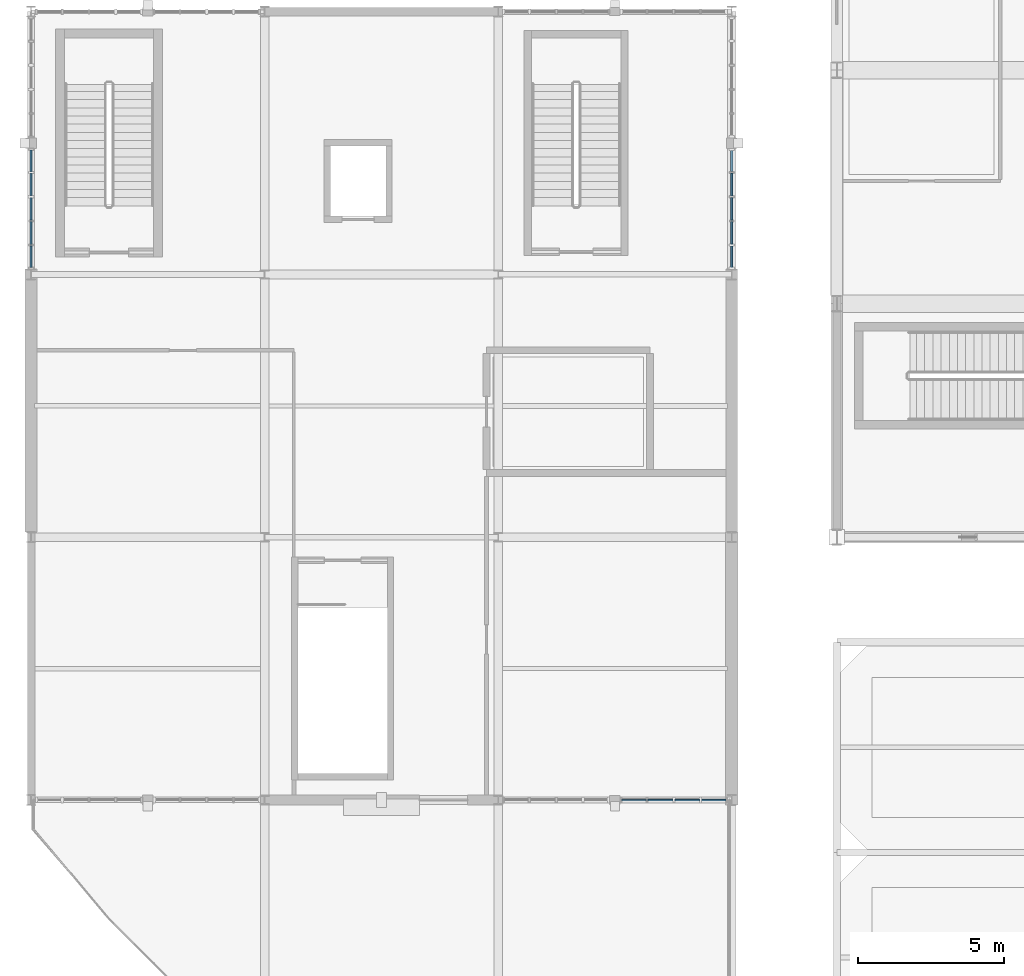
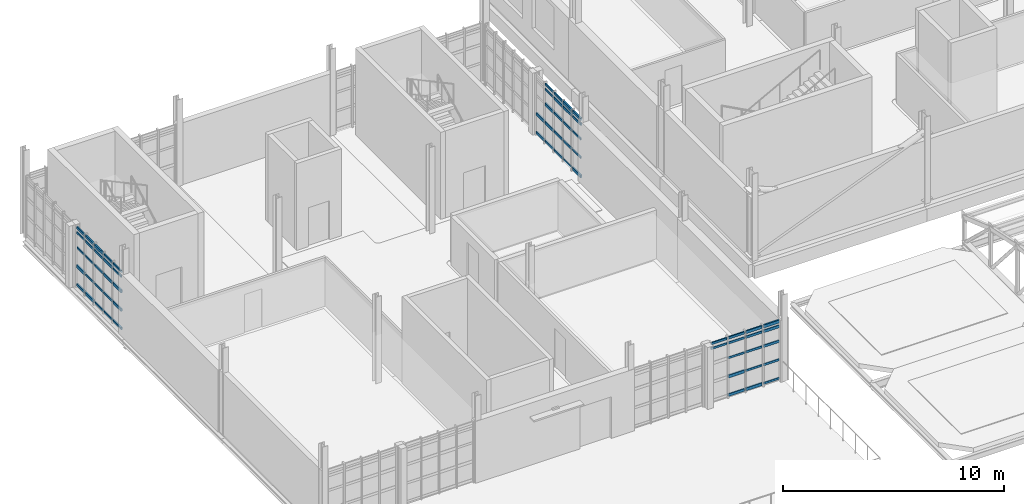
# One storey, part 60 of 128: 64 members, 3 elements without a shape of their own.
"""IFC4 building model written with IfcOpenShell, lengths in metres."""

import ifcopenshell
import ifcopenshell.guid

model = None  # the IFC model being written
_history = None  # IfcOwnerHistory: only IFC2X3 demands one
_inside = {}  # id of a spatial element -> (the spatial element, [elements in it])
_under = {}  # id of a project, library or spatial element -> (it, [spatial elements below it])
_declared = {}  # id of a project -> (the project, [libraries it declares])
_typed = {}  # id of a type object -> (the type object, [elements of that type])
_made_of = {}  # id of a material, layer set ... -> (it, [elements and type objects made of it])


def new_model(schema):
    """Start an empty IFC model of exactly this schema.

    Asked for "IFC4X3", IfcOpenShell would pick the latest addendum, in which some entities
    have other attributes; the version numbers below select the first issue.
    IFC2X3 requires an IfcOwnerHistory on every rooted entity: one is made here for all.
    """
    global model, _history
    if schema == "IFC4X3":
        model = ifcopenshell.file(schema_version=(4, 3, 0, 0))
    else:
        model = ifcopenshell.file(schema=schema)
    _inside.clear()
    _under.clear()
    _declared.clear()
    _typed.clear()
    _made_of.clear()
    _history = None
    if model.schema == "IFC2X3":
        org = make("IfcOrganization", Name="unknown")
        user = make(
            "IfcPersonAndOrganization",
            ThePerson=make("IfcPerson", FamilyName="unknown"),
            TheOrganization=org,
        )
        app = make(
            "IfcApplication",
            ApplicationDeveloper=org,
            Version="unknown",
            ApplicationFullName="unknown",
            ApplicationIdentifier="unknown",
        )
        _history = make(
            "IfcOwnerHistory",
            OwningUser=user,
            OwningApplication=app,
            ChangeAction="ADDED",
            CreationDate=0,
        )
    return model


def make(cls, **values):
    """One entity of the class cls with the attributes given. An attribute that is None is left unset."""
    return model.create_entity(
        cls, **{name: value for name, value in values.items() if value is not None}
    )


def rooted(cls, **values):
    """An entity with a GlobalId (a new one), such as an element, a storey or a relation."""
    return make(cls, GlobalId=ifcopenshell.guid.new(), OwnerHistory=_history, **values)


def si_unit(unit_type, name, prefix=None):
    """IfcSIUnit, for example si_unit("LENGTHUNIT", "METRE", prefix="MILLI")."""
    return make("IfcSIUnit", UnitType=unit_type, Prefix=prefix, Name=name)


def assignment(units):
    """IfcUnitAssignment: the units of a project."""
    return None if units is None else make("IfcUnitAssignment", Units=units)


def point(xyz):
    """IfcCartesianPoint."""
    return None if xyz is None else make("IfcCartesianPoint", Coordinates=xyz)


def direction(xyz):
    """IfcDirection."""
    return None if xyz is None else make("IfcDirection", DirectionRatios=xyz)


def frame(location, z_axis=None, x_axis=None):
    """IfcAxis2Placement3D, a coordinate frame: its origin and axes. An axis left out is left unset."""
    return make(
        "IfcAxis2Placement3D",
        Location=point(location),
        Axis=direction(z_axis),
        RefDirection=direction(x_axis),
    )


def frame_2d(location, x_axis=None):
    """IfcAxis2Placement2D, a coordinate frame in the plane: its origin and x axis."""
    return make(
        "IfcAxis2Placement2D", Location=point(location), RefDirection=direction(x_axis)
    )


def origin():
    """The frame at (0, 0, 0) with its axes left unset."""
    return frame((0.0, 0.0, 0.0))


def origin_2d():
    """The frame at (0, 0) in the plane with its x axis left unset."""
    return frame_2d((0.0, 0.0))


def place(relative_to, where):
    """IfcLocalPlacement: puts the frame where relative to a parent placement (None: the world)."""
    return make(
        "IfcLocalPlacement", PlacementRelTo=relative_to, RelativePlacement=where
    )


def context(
    kind, dimensions, precision=None, world=None, true_north=None, identifier=None
):
    """IfcGeometricRepresentationContext, for example the 3D "Model" context."""
    return make(
        "IfcGeometricRepresentationContext",
        ContextIdentifier=identifier,
        ContextType=kind,
        CoordinateSpaceDimension=dimensions,
        Precision=precision,
        WorldCoordinateSystem=world,
        TrueNorth=true_north,
    )


def subcontext(parent, identifier, kind, view, scale=None):
    """IfcGeometricRepresentationSubContext, for example "Body" below "Model"."""
    return make(
        "IfcGeometricRepresentationSubContext",
        ContextIdentifier=identifier,
        ContextType=kind,
        ParentContext=parent,
        TargetScale=scale,
        TargetView=view,
    )


def project(units=None, contexts=None):
    """IfcProject with its units and contexts."""
    return rooted(
        "IfcProject",
        Name="project",
        RepresentationContexts=contexts,
        UnitsInContext=assignment(units),
    )


def spatial(cls, under=None, at=None, **own):
    """A site, building, storey or space (cls), placed at a placement, below another one or the project."""
    s = rooted(cls, ObjectPlacement=at, **own)
    if under is not None:
        _under.setdefault(under.id(), (under, []))[1].append(s)
    return s


def profile(cls, at=None, kind="AREA", **sizes):
    """A parametric profile (cls). Its sizes go by their IFC names, for example OverallWidth=200.0."""
    return make(cls, ProfileType=kind, Position=at, **sizes)


def rectangle(**sizes):
    """IfcRectangleProfileDef."""
    return profile("IfcRectangleProfileDef", **sizes)


def extrude(swept, where, along, depth):
    """IfcExtrudedAreaSolid: the profile swept, set in the frame where, extruded along a direction by depth."""
    return make(
        "IfcExtrudedAreaSolid",
        SweptArea=swept,
        Position=where,
        ExtrudedDirection=direction(along),
        Depth=depth,
    )


def shape(context_of_items, identifier, shape_type, items):
    """IfcShapeRepresentation: the items that make up one representation, for example the "Body"."""
    return make(
        "IfcShapeRepresentation",
        ContextOfItems=context_of_items,
        RepresentationIdentifier=identifier,
        RepresentationType=shape_type,
        Items=items,
    )


def material(Name=None, Category=None):
    """IfcMaterial."""
    return make("IfcMaterial", Name=Name, Category=Category)


def material_profile(
    of_material, cross_section, Name=None, Category=None, Priority=None
):
    """IfcMaterialProfile: a cross section and its material."""
    return make(
        "IfcMaterialProfile",
        Name=Name,
        Material=of_material,
        Profile=cross_section,
        Priority=Priority,
        Category=Category,
    )


def profile_set(profiles, Name=None, composite=None):
    """IfcMaterialProfileSet."""
    return make(
        "IfcMaterialProfileSet",
        Name=Name,
        MaterialProfiles=profiles,
        CompositeProfile=composite,
    )


def made_of(thing, what):
    """Note that an element or type object is made of a material, layer set ...; save() writes the relation."""
    if what is not None:
        _made_of.setdefault(what.id(), (what, []))[1].append(thing)
    return thing


def type_object(cls, material=None, **own):
    """A type object (cls), such as IfcWallType, which elements share."""
    return made_of(rooted(cls, **own), material)


def element(
    cls,
    number,
    at=None,
    inside=None,
    cuts=None,
    type_object=None,
    material=None,
    context=None,
    identifier="Body",
    shape_type=None,
    held_by="IfcProductDefinitionShape",
    body=None,
    shapes=None,
    **own,
):
    """One element of the class cls, such as IfcWall. Its Tag is "e" and its number.

    at: its placement. inside: the storey or other place that contains it. cuts: it is an
    opening in that element (IfcRelVoidsElement). A single representation is given by context,
    identifier, shape_type and body (its items); several are given by shapes. held_by: the class
    of the entity that holds the representations. save() writes the other relations.
    """
    e = rooted(cls, Tag="e%d" % number, ObjectPlacement=at, **own)
    if body is not None:
        shapes = [shape(context, identifier, shape_type, body)]
    if shapes is not None:
        e.Representation = make(held_by, Representations=shapes)
    if inside is not None:
        _inside.setdefault(inside.id(), (inside, []))[1].append(e)
    if cuts is not None:
        rooted(
            "IfcRelVoidsElement", RelatingBuildingElement=cuts, RelatedOpeningElement=e
        )
    if type_object is not None:
        _typed.setdefault(type_object.id(), (type_object, []))[1].append(e)
    return made_of(e, material)


def aggregate(whole, parts):
    """IfcRelAggregates: a whole, such as a stair, and the parts it consists of."""
    return rooted("IfcRelAggregates", RelatingObject=whole, RelatedObjects=parts)


def save(model, path):
    """Write the relations noted so far, then the file.

    IfcRelAggregates (storeys below a building ...), IfcRelContainedInSpatialStructure (elements
    in a storey), IfcRelDefinesByType, IfcRelAssociatesMaterial and IfcRelDeclares: one each for
    every whole, place, type object, material and project.
    """
    for whole, parts in _under.values():
        aggregate(whole, parts)
    for where, things in _inside.values():
        rooted(
            "IfcRelContainedInSpatialStructure",
            RelatedElements=things,
            RelatingStructure=where,
        )
    for kind, things in _typed.values():
        rooted("IfcRelDefinesByType", RelatedObjects=things, RelatingType=kind)
    for what, things in _made_of.values():
        rooted("IfcRelAssociatesMaterial", RelatedObjects=things, RelatingMaterial=what)
    for by, libraries in _declared.values():
        rooted("IfcRelDeclares", RelatingContext=by, RelatedDefinitions=libraries)
    model.write(path)


model = new_model("IFC4")

# Units and contexts
model_context = context("Model", 3, precision=1e-05, world=origin(), true_north=direction((0.0, 1.0)))
body_context = subcontext(model_context, "Body", "Model", "MODEL_VIEW")
ifc_project = project(units=[si_unit("LENGTHUNIT", "METRE"), si_unit("AREAUNIT", "SQUARE_METRE"), si_unit("VOLUMEUNIT", "CUBIC_METRE"), si_unit("PLANEANGLEUNIT", "RADIAN"), si_unit("MASSUNIT", "GRAM", prefix="KILO")], contexts=[model_context])

# Site, building, storey
site_placement = place(None, origin())
site = spatial("IfcSite", under=ifc_project, at=site_placement, CompositionType="ELEMENT")
building_placement = place(site_placement, origin())
building = spatial("IfcBuilding", under=site, at=building_placement, Name="Serraforn Aerial Cableway Station", CompositionType="ELEMENT")
storey_placement = place(building_placement, frame((0.0, 0.0, 9.0)))
storey = spatial("IfcBuildingStorey", under=building, at=storey_placement, Name="L02", CompositionType="ELEMENT", Elevation=9.0)

# Curtain wall, members
ifc_material_1 = material(Name="Anodised bronze unitised curtain wall")
curtain_wall_type_1 = type_object("IfcCurtainWallType", Name="CW-SYS-26", PredefinedType="USERDEFINED", material=ifc_material_1)
curtain_wall_1_placement = place(storey_placement, origin())
curtain_wall_1 = element("IfcCurtainWall", 1, at=curtain_wall_1_placement, inside=storey, type_object=curtain_wall_type_1, Name="Unitised Curtain Wall CW-W-L02-S3B", ObjectType="UNITISED CURTAIN WALL", PredefinedType="USERDEFINED")
ifc_material_2 = material(Name="Anodised bronze extruded aluminium", Category="aluminium")
ifc_material_profile_1 = material_profile(ifc_material_2, rectangle(XDim=0.054931640625, YDim=0.110107421875, at=origin_2d()), Name="CW TRANSOM 55x110")
ifc_profile_set_1 = profile_set([ifc_material_profile_1], Name="Anodised bronze extruded aluminium")
member_type_1 = type_object("IfcMemberType", Name="CW-TRN-1", PredefinedType="USERDEFINED", material=ifc_profile_set_1)
member_1_placement = place(storey_placement, frame((20.238037109375, 9.0, 3.009521484375), z_axis=(1.0, 0.0, 0.0), x_axis=(0.0, 1.0, 0.0)))
member_1 = element("IfcMember", 2, at=member_1_placement, type_object=member_type_1, Name="Curtain Wall Transom CW-W-L02-S3B-T1-4", ObjectType="TRANSOM", PredefinedType="USERDEFINED", context=body_context, shape_type="SweptSolid", body=[
    extrude(rectangle(XDim=0.054931640625, YDim=0.110107421875, at=origin_2d()), origin(), (0.0, 0.0, 1.0), 0.829345703125),
])
member_2_placement = place(storey_placement, frame((21.12841796875, 9.0, 2.188720703125), z_axis=(1.0, 0.0, 0.0), x_axis=(0.0, 1.0, 0.0)))
member_2 = element("IfcMember", 3, at=member_2_placement, type_object=member_type_1, Name="Curtain Wall Transom CW-W-L02-S3B-T2-3", ObjectType="TRANSOM", PredefinedType="USERDEFINED", context=body_context, shape_type="SweptSolid", body=[
    extrude(rectangle(XDim=0.054931640625, YDim=0.110107421875, at=origin_2d()), origin(), (0.0, 0.0, 1.0), 0.8544921875),
])
member_3_placement = place(storey_placement, frame((22.049072265625, 9.0, 1.162841796875), z_axis=(1.0, 0.0, 0.0), x_axis=(0.0, 1.0, 0.0)))
member_3 = element("IfcMember", 4, at=member_3_placement, type_object=member_type_1, Name="Curtain Wall Transom CW-W-L02-S3B-T3-2", ObjectType="TRANSOM", PredefinedType="USERDEFINED", context=body_context, shape_type="SweptSolid", body=[
    extrude(rectangle(XDim=0.054931640625, YDim=0.110107421875, at=origin_2d()), origin(), (0.0, 0.0, 1.0), 0.849365234375),
])
member_4_placement = place(storey_placement, frame((22.969482421875, 9.0, 0.13671875), z_axis=(1.0, 0.0, 0.0), x_axis=(0.0, 1.0, 0.0)))
member_4 = element("IfcMember", 5, at=member_4_placement, type_object=member_type_1, Name="Curtain Wall Transom CW-W-L02-S3B-T4-1", ObjectType="TRANSOM", PredefinedType="USERDEFINED", context=body_context, shape_type="SweptSolid", body=[
    extrude(rectangle(XDim=0.054931640625, YDim=0.110107421875, at=origin_2d()), origin(), (0.0, 0.0, 1.0), 0.82958984375),
])

curtain_wall_type_2 = type_object("IfcCurtainWallType", Name="CW-SYS-4", PredefinedType="USERDEFINED", material=ifc_material_1)
curtain_wall_2_placement = place(storey_placement, origin())
curtain_wall_2 = element("IfcCurtainWall", 6, at=curtain_wall_2_placement, inside=storey, type_object=curtain_wall_type_2, Name="Unitised Curtain Wall CW-W-L02-W3B", ObjectType="UNITISED CURTAIN WALL", PredefinedType="USERDEFINED")
member_5_placement = place(storey_placement, frame((0.0, 31.257080078125, 2.188720703125), z_axis=(0.0, -1.0, 0.0), x_axis=(1.0, 0.0, 0.0)))
member_5 = element("IfcMember", 7, at=member_5_placement, type_object=member_type_1, Name="Curtain Wall Transom CW-W-L02-W3B-T1-3", ObjectType="TRANSOM", PredefinedType="USERDEFINED", context=body_context, shape_type="SweptSolid", body=[
    extrude(rectangle(XDim=0.054931640625, YDim=0.110107421875, at=origin_2d()), origin(), (0.0, 0.0, 1.0), 0.732421875),
])
member_6_placement = place(storey_placement, frame((0.0, 30.45849609375, 1.162841796875), z_axis=(0.0, -1.0, 0.0), x_axis=(1.0, 0.0, 0.0)))
member_6 = element("IfcMember", 8, at=member_6_placement, type_object=member_type_1, Name="Curtain Wall Transom CW-W-L02-W3B-T2-2", ObjectType="TRANSOM", PredefinedType="USERDEFINED", context=body_context, shape_type="SweptSolid", body=[
    extrude(rectangle(XDim=0.054931640625, YDim=0.110107421875, at=origin_2d()), origin(), (0.0, 0.0, 1.0), 0.759765625),
])
member_7_placement = place(storey_placement, frame((0.0, 29.627685546875, 0.13671875), z_axis=(0.0, -1.0, 0.0), x_axis=(1.0, 0.0, 0.0)))
member_7 = element("IfcMember", 9, at=member_7_placement, type_object=member_type_1, Name="Curtain Wall Transom CW-W-L02-W3B-T3-1", ObjectType="TRANSOM", PredefinedType="USERDEFINED", context=body_context, shape_type="SweptSolid", body=[
    extrude(rectangle(XDim=0.054931640625, YDim=0.110107421875, at=origin_2d()), origin(), (0.0, 0.0, 1.0), 0.767333984375),
])
member_8_placement = place(storey_placement, frame((0.0, 28.809326171875, 3.283203125), z_axis=(0.0, -1.0, 0.0), x_axis=(1.0, 0.0, 0.0)))
member_8 = element("IfcMember", 10, at=member_8_placement, type_object=member_type_1, Name="Curtain Wall Transom CW-W-L02-W3B-T4-5", ObjectType="TRANSOM", PredefinedType="USERDEFINED", context=body_context, shape_type="SweptSolid", body=[
    extrude(rectangle(XDim=0.054931640625, YDim=0.110107421875, at=origin_2d()), origin(), (0.0, 0.0, 1.0), 0.77490234375),
])
member_9_placement = place(storey_placement, frame((0.0, 27.978515625, 3.009521484375), z_axis=(0.0, -1.0, 0.0), x_axis=(1.0, 0.0, 0.0)))
member_9 = element("IfcMember", 11, at=member_9_placement, type_object=member_type_1, Name="Curtain Wall Transom CW-W-L02-W3B-T5-4", ObjectType="TRANSOM", PredefinedType="USERDEFINED", context=body_context, shape_type="SweptSolid", body=[
    extrude(rectangle(XDim=0.054931640625, YDim=0.110107421875, at=origin_2d()), origin(), (0.0, 0.0, 1.0), 0.737548828125),
])

curtain_wall_type_3 = type_object("IfcCurtainWallType", Name="CW-SYS-5", PredefinedType="USERDEFINED", material=ifc_material_1)
curtain_wall_3_placement = place(storey_placement, origin())
curtain_wall_3 = element("IfcCurtainWall", 12, at=curtain_wall_3_placement, inside=storey, type_object=curtain_wall_type_3, Name="Unitised Curtain Wall CW-W-L02-E3A", ObjectType="UNITISED CURTAIN WALL", PredefinedType="USERDEFINED")
member_10_placement = place(storey_placement, frame((24.0, 27.24609375, 1.162841796875), z_axis=(0.0, 1.0, 0.0), x_axis=(-1.0, 0.0, 0.0)))
member_10 = element("IfcMember", 13, at=member_10_placement, type_object=member_type_1, Name="Curtain Wall Transom CW-W-L02-E3A-T1-2", ObjectType="TRANSOM", PredefinedType="USERDEFINED", context=body_context, shape_type="SweptSolid", body=[
    extrude(rectangle(XDim=0.054931640625, YDim=0.110107421875, at=origin_2d()), origin(), (0.0, 0.0, 1.0), 0.724853515625),
])
member_11_placement = place(storey_placement, frame((24.0, 28.0419921875, 0.13671875), z_axis=(0.0, 1.0, 0.0), x_axis=(-1.0, 0.0, 0.0)))
member_11 = element("IfcMember", 14, at=member_11_placement, type_object=member_type_1, Name="Curtain Wall Transom CW-W-L02-E3A-T2-1", ObjectType="TRANSOM", PredefinedType="USERDEFINED", context=body_context, shape_type="SweptSolid", body=[
    extrude(rectangle(XDim=0.054931640625, YDim=0.110107421875, at=origin_2d()), origin(), (0.0, 0.0, 1.0), 0.767333984375),
])
member_12_placement = place(storey_placement, frame((24.0, 28.8603515625, 3.283203125), z_axis=(0.0, 1.0, 0.0), x_axis=(-1.0, 0.0, 0.0)))
member_12 = element("IfcMember", 15, at=member_12_placement, type_object=member_type_1, Name="Curtain Wall Transom CW-W-L02-E3A-T3-5", ObjectType="TRANSOM", PredefinedType="USERDEFINED", context=body_context, shape_type="SweptSolid", body=[
    extrude(rectangle(XDim=0.054931640625, YDim=0.110107421875, at=origin_2d()), origin(), (0.0, 0.0, 1.0), 0.77490234375),
])
member_13_placement = place(storey_placement, frame((24.0, 29.691162109375, 3.009521484375), z_axis=(0.0, 1.0, 0.0), x_axis=(-1.0, 0.0, 0.0)))
member_13 = element("IfcMember", 16, at=member_13_placement, type_object=member_type_1, Name="Curtain Wall Transom CW-W-L02-E3A-T4-4", ObjectType="TRANSOM", PredefinedType="USERDEFINED", context=body_context, shape_type="SweptSolid", body=[
    extrude(rectangle(XDim=0.054931640625, YDim=0.110107421875, at=origin_2d()), origin(), (0.0, 0.0, 1.0), 0.77001953125),
])

# Member
ifc_material_profile_2 = material_profile(ifc_material_2, rectangle(XDim=0.06005859375, YDim=0.1201171875, at=origin_2d()), Name="CW TRANSOM 60x120")
ifc_profile_set_2 = profile_set([ifc_material_profile_2], Name="Anodised bronze extruded aluminium")
member_type_2 = type_object("IfcMemberType", Name="CW-TRN-2", PredefinedType="USERDEFINED", material=ifc_profile_set_2)
member_14_placement = place(storey_placement, frame((20.238037109375, 9.0, 3.283203125), z_axis=(1.0, 0.0, 0.0), x_axis=(0.0, 1.0, 0.0)))
member_14 = element("IfcMember", 17, at=member_14_placement, type_object=member_type_2, Name="Curtain Wall Transom CW-W-L02-S3B-T1-5", ObjectType="TRANSOM", PredefinedType="USERDEFINED", context=body_context, shape_type="SweptSolid", body=[
    extrude(rectangle(XDim=0.06005859375, YDim=0.1201171875, at=origin_2d()), origin(), (0.0, 0.0, 1.0), 0.829345703125),
])

member_15_placement = place(storey_placement, frame((21.12841796875, 9.0, 3.009521484375), z_axis=(1.0, 0.0, 0.0), x_axis=(0.0, 1.0, 0.0)))
member_15 = element("IfcMember", 18, at=member_15_placement, type_object=member_type_2, Name="Curtain Wall Transom CW-W-L02-S3B-T2-4", ObjectType="TRANSOM", PredefinedType="USERDEFINED", context=body_context, shape_type="SweptSolid", body=[
    extrude(rectangle(XDim=0.06005859375, YDim=0.1201171875, at=origin_2d()), origin(), (0.0, 0.0, 1.0), 0.8544921875),
])

member_16_placement = place(storey_placement, frame((22.049072265625, 9.0, 2.188720703125), z_axis=(1.0, 0.0, 0.0), x_axis=(0.0, 1.0, 0.0)))
member_16 = element("IfcMember", 19, at=member_16_placement, type_object=member_type_2, Name="Curtain Wall Transom CW-W-L02-S3B-T3-3", ObjectType="TRANSOM", PredefinedType="USERDEFINED", context=body_context, shape_type="SweptSolid", body=[
    extrude(rectangle(XDim=0.06005859375, YDim=0.1201171875, at=origin_2d()), origin(), (0.0, 0.0, 1.0), 0.849365234375),
])

member_17_placement = place(storey_placement, frame((22.969482421875, 9.0, 1.162841796875), z_axis=(1.0, 0.0, 0.0), x_axis=(0.0, 1.0, 0.0)))
member_17 = element("IfcMember", 20, at=member_17_placement, type_object=member_type_2, Name="Curtain Wall Transom CW-W-L02-S3B-T4-2", ObjectType="TRANSOM", PredefinedType="USERDEFINED", context=body_context, shape_type="SweptSolid", body=[
    extrude(rectangle(XDim=0.06005859375, YDim=0.1201171875, at=origin_2d()), origin(), (0.0, 0.0, 1.0), 0.82958984375),
])

member_18_placement = place(storey_placement, frame((0.0, 31.257080078125, 3.009521484375), z_axis=(0.0, -1.0, 0.0), x_axis=(1.0, 0.0, 0.0)))
member_18 = element("IfcMember", 21, at=member_18_placement, type_object=member_type_2, Name="Curtain Wall Transom CW-W-L02-W3B-T1-4", ObjectType="TRANSOM", PredefinedType="USERDEFINED", context=body_context, shape_type="SweptSolid", body=[
    extrude(rectangle(XDim=0.06005859375, YDim=0.1201171875, at=origin_2d()), origin(), (0.0, 0.0, 1.0), 0.732421875),
])

member_19_placement = place(storey_placement, frame((0.0, 30.45849609375, 2.188720703125), z_axis=(0.0, -1.0, 0.0), x_axis=(1.0, 0.0, 0.0)))
member_19 = element("IfcMember", 22, at=member_19_placement, type_object=member_type_2, Name="Curtain Wall Transom CW-W-L02-W3B-T2-3", ObjectType="TRANSOM", PredefinedType="USERDEFINED", context=body_context, shape_type="SweptSolid", body=[
    extrude(rectangle(XDim=0.06005859375, YDim=0.1201171875, at=origin_2d()), origin(), (0.0, 0.0, 1.0), 0.759765625),
])

member_20_placement = place(storey_placement, frame((0.0, 29.627685546875, 1.162841796875), z_axis=(0.0, -1.0, 0.0), x_axis=(1.0, 0.0, 0.0)))
member_20 = element("IfcMember", 23, at=member_20_placement, type_object=member_type_2, Name="Curtain Wall Transom CW-W-L02-W3B-T3-2", ObjectType="TRANSOM", PredefinedType="USERDEFINED", context=body_context, shape_type="SweptSolid", body=[
    extrude(rectangle(XDim=0.06005859375, YDim=0.1201171875, at=origin_2d()), origin(), (0.0, 0.0, 1.0), 0.767333984375),
])

member_21_placement = place(storey_placement, frame((0.0, 28.809326171875, 0.13671875), z_axis=(0.0, -1.0, 0.0), x_axis=(1.0, 0.0, 0.0)))
member_21 = element("IfcMember", 24, at=member_21_placement, type_object=member_type_2, Name="Curtain Wall Transom CW-W-L02-W3B-T4-1", ObjectType="TRANSOM", PredefinedType="USERDEFINED", context=body_context, shape_type="SweptSolid", body=[
    extrude(rectangle(XDim=0.06005859375, YDim=0.1201171875, at=origin_2d()), origin(), (0.0, 0.0, 1.0), 0.77490234375),
])

member_22_placement = place(storey_placement, frame((0.0, 27.978515625, 3.283203125), z_axis=(0.0, -1.0, 0.0), x_axis=(1.0, 0.0, 0.0)))
member_22 = element("IfcMember", 25, at=member_22_placement, type_object=member_type_2, Name="Curtain Wall Transom CW-W-L02-W3B-T5-5", ObjectType="TRANSOM", PredefinedType="USERDEFINED", context=body_context, shape_type="SweptSolid", body=[
    extrude(rectangle(XDim=0.06005859375, YDim=0.1201171875, at=origin_2d()), origin(), (0.0, 0.0, 1.0), 0.737548828125),
])

member_23_placement = place(storey_placement, frame((24.0, 27.24609375, 2.188720703125), z_axis=(0.0, 1.0, 0.0), x_axis=(-1.0, 0.0, 0.0)))
member_23 = element("IfcMember", 26, at=member_23_placement, type_object=member_type_2, Name="Curtain Wall Transom CW-W-L02-E3A-T1-3", ObjectType="TRANSOM", PredefinedType="USERDEFINED", context=body_context, shape_type="SweptSolid", body=[
    extrude(rectangle(XDim=0.06005859375, YDim=0.1201171875, at=origin_2d()), origin(), (0.0, 0.0, 1.0), 0.724853515625),
])

member_24_placement = place(storey_placement, frame((24.0, 28.0419921875, 1.162841796875), z_axis=(0.0, 1.0, 0.0), x_axis=(-1.0, 0.0, 0.0)))
member_24 = element("IfcMember", 27, at=member_24_placement, type_object=member_type_2, Name="Curtain Wall Transom CW-W-L02-E3A-T2-2", ObjectType="TRANSOM", PredefinedType="USERDEFINED", context=body_context, shape_type="SweptSolid", body=[
    extrude(rectangle(XDim=0.06005859375, YDim=0.1201171875, at=origin_2d()), origin(), (0.0, 0.0, 1.0), 0.767333984375),
])

member_25_placement = place(storey_placement, frame((24.0, 28.8603515625, 0.13671875), z_axis=(0.0, 1.0, 0.0), x_axis=(-1.0, 0.0, 0.0)))
member_25 = element("IfcMember", 28, at=member_25_placement, type_object=member_type_2, Name="Curtain Wall Transom CW-W-L02-E3A-T3-1", ObjectType="TRANSOM", PredefinedType="USERDEFINED", context=body_context, shape_type="SweptSolid", body=[
    extrude(rectangle(XDim=0.06005859375, YDim=0.1201171875, at=origin_2d()), origin(), (0.0, 0.0, 1.0), 0.77490234375),
])

member_26_placement = place(storey_placement, frame((24.0, 29.691162109375, 3.283203125), z_axis=(0.0, 1.0, 0.0), x_axis=(-1.0, 0.0, 0.0)))
member_26 = element("IfcMember", 29, at=member_26_placement, type_object=member_type_2, Name="Curtain Wall Transom CW-W-L02-E3A-T4-5", ObjectType="TRANSOM", PredefinedType="USERDEFINED", context=body_context, shape_type="SweptSolid", body=[
    extrude(rectangle(XDim=0.06005859375, YDim=0.1201171875, at=origin_2d()), origin(), (0.0, 0.0, 1.0), 0.77001953125),
])

ifc_material_profile_3 = material_profile(ifc_material_2, rectangle(XDim=0.06494140625, YDim=0.135009765625, at=origin_2d()), Name="CW TRANSOM 65x135")
ifc_profile_set_3 = profile_set([ifc_material_profile_3], Name="Anodised bronze extruded aluminium")
member_type_3 = type_object("IfcMemberType", Name="CW-TRN-3", PredefinedType="USERDEFINED", material=ifc_profile_set_3)
member_27_placement = place(storey_placement, frame((21.12841796875, 9.0, 3.283203125), z_axis=(1.0, 0.0, 0.0), x_axis=(0.0, 1.0, 0.0)))
member_27 = element("IfcMember", 30, at=member_27_placement, type_object=member_type_3, Name="Curtain Wall Transom CW-W-L02-S3B-T2-5", ObjectType="TRANSOM", PredefinedType="USERDEFINED", context=body_context, shape_type="SweptSolid", body=[
    extrude(rectangle(XDim=0.06494140625, YDim=0.135009765625, at=origin_2d()), origin(), (0.0, 0.0, 1.0), 0.8544921875),
])

member_28_placement = place(storey_placement, frame((22.049072265625, 9.0, 3.009521484375), z_axis=(1.0, 0.0, 0.0), x_axis=(0.0, 1.0, 0.0)))
member_28 = element("IfcMember", 31, at=member_28_placement, type_object=member_type_3, Name="Curtain Wall Transom CW-W-L02-S3B-T3-4", ObjectType="TRANSOM", PredefinedType="USERDEFINED", context=body_context, shape_type="SweptSolid", body=[
    extrude(rectangle(XDim=0.06494140625, YDim=0.135009765625, at=origin_2d()), origin(), (0.0, 0.0, 1.0), 0.849365234375),
])

member_29_placement = place(storey_placement, frame((22.969482421875, 9.0, 2.188720703125), z_axis=(1.0, 0.0, 0.0), x_axis=(0.0, 1.0, 0.0)))
member_29 = element("IfcMember", 32, at=member_29_placement, type_object=member_type_3, Name="Curtain Wall Transom CW-W-L02-S3B-T4-3", ObjectType="TRANSOM", PredefinedType="USERDEFINED", context=body_context, shape_type="SweptSolid", body=[
    extrude(rectangle(XDim=0.06494140625, YDim=0.135009765625, at=origin_2d()), origin(), (0.0, 0.0, 1.0), 0.82958984375),
])

member_30_placement = place(storey_placement, frame((0.0, 31.257080078125, 3.283203125), z_axis=(0.0, -1.0, 0.0), x_axis=(1.0, 0.0, 0.0)))
member_30 = element("IfcMember", 33, at=member_30_placement, type_object=member_type_3, Name="Curtain Wall Transom CW-W-L02-W3B-T1-5", ObjectType="TRANSOM", PredefinedType="USERDEFINED", context=body_context, shape_type="SweptSolid", body=[
    extrude(rectangle(XDim=0.06494140625, YDim=0.135009765625, at=origin_2d()), origin(), (0.0, 0.0, 1.0), 0.732421875),
])

member_31_placement = place(storey_placement, frame((0.0, 30.45849609375, 3.009521484375), z_axis=(0.0, -1.0, 0.0), x_axis=(1.0, 0.0, 0.0)))
member_31 = element("IfcMember", 34, at=member_31_placement, type_object=member_type_3, Name="Curtain Wall Transom CW-W-L02-W3B-T2-4", ObjectType="TRANSOM", PredefinedType="USERDEFINED", context=body_context, shape_type="SweptSolid", body=[
    extrude(rectangle(XDim=0.06494140625, YDim=0.135009765625, at=origin_2d()), origin(), (0.0, 0.0, 1.0), 0.759765625),
])

member_32_placement = place(storey_placement, frame((0.0, 29.627685546875, 2.188720703125), z_axis=(0.0, -1.0, 0.0), x_axis=(1.0, 0.0, 0.0)))
member_32 = element("IfcMember", 35, at=member_32_placement, type_object=member_type_3, Name="Curtain Wall Transom CW-W-L02-W3B-T3-3", ObjectType="TRANSOM", PredefinedType="USERDEFINED", context=body_context, shape_type="SweptSolid", body=[
    extrude(rectangle(XDim=0.06494140625, YDim=0.135009765625, at=origin_2d()), origin(), (0.0, 0.0, 1.0), 0.767333984375),
])

member_33_placement = place(storey_placement, frame((0.0, 28.809326171875, 1.162841796875), z_axis=(0.0, -1.0, 0.0), x_axis=(1.0, 0.0, 0.0)))
member_33 = element("IfcMember", 36, at=member_33_placement, type_object=member_type_3, Name="Curtain Wall Transom CW-W-L02-W3B-T4-2", ObjectType="TRANSOM", PredefinedType="USERDEFINED", context=body_context, shape_type="SweptSolid", body=[
    extrude(rectangle(XDim=0.06494140625, YDim=0.135009765625, at=origin_2d()), origin(), (0.0, 0.0, 1.0), 0.77490234375),
])

member_34_placement = place(storey_placement, frame((0.0, 27.978515625, 0.13671875), z_axis=(0.0, -1.0, 0.0), x_axis=(1.0, 0.0, 0.0)))
member_34 = element("IfcMember", 37, at=member_34_placement, type_object=member_type_3, Name="Curtain Wall Transom CW-W-L02-W3B-T5-1", ObjectType="TRANSOM", PredefinedType="USERDEFINED", context=body_context, shape_type="SweptSolid", body=[
    extrude(rectangle(XDim=0.06494140625, YDim=0.135009765625, at=origin_2d()), origin(), (0.0, 0.0, 1.0), 0.737548828125),
])

member_35_placement = place(storey_placement, frame((24.0, 27.24609375, 3.009521484375), z_axis=(0.0, 1.0, 0.0), x_axis=(-1.0, 0.0, 0.0)))
member_35 = element("IfcMember", 38, at=member_35_placement, type_object=member_type_3, Name="Curtain Wall Transom CW-W-L02-E3A-T1-4", ObjectType="TRANSOM", PredefinedType="USERDEFINED", context=body_context, shape_type="SweptSolid", body=[
    extrude(rectangle(XDim=0.06494140625, YDim=0.135009765625, at=origin_2d()), origin(), (0.0, 0.0, 1.0), 0.724853515625),
])

member_36_placement = place(storey_placement, frame((24.0, 28.0419921875, 2.188720703125), z_axis=(0.0, 1.0, 0.0), x_axis=(-1.0, 0.0, 0.0)))
member_36 = element("IfcMember", 39, at=member_36_placement, type_object=member_type_3, Name="Curtain Wall Transom CW-W-L02-E3A-T2-3", ObjectType="TRANSOM", PredefinedType="USERDEFINED", context=body_context, shape_type="SweptSolid", body=[
    extrude(rectangle(XDim=0.06494140625, YDim=0.135009765625, at=origin_2d()), origin(), (0.0, 0.0, 1.0), 0.767333984375),
])

member_37_placement = place(storey_placement, frame((24.0, 28.8603515625, 1.162841796875), z_axis=(0.0, 1.0, 0.0), x_axis=(-1.0, 0.0, 0.0)))
member_37 = element("IfcMember", 40, at=member_37_placement, type_object=member_type_3, Name="Curtain Wall Transom CW-W-L02-E3A-T3-2", ObjectType="TRANSOM", PredefinedType="USERDEFINED", context=body_context, shape_type="SweptSolid", body=[
    extrude(rectangle(XDim=0.06494140625, YDim=0.135009765625, at=origin_2d()), origin(), (0.0, 0.0, 1.0), 0.77490234375),
])

member_38_placement = place(storey_placement, frame((24.0, 29.691162109375, 0.13671875), z_axis=(0.0, 1.0, 0.0), x_axis=(-1.0, 0.0, 0.0)))
member_38 = element("IfcMember", 41, at=member_38_placement, type_object=member_type_3, Name="Curtain Wall Transom CW-W-L02-E3A-T4-1", ObjectType="TRANSOM", PredefinedType="USERDEFINED", context=body_context, shape_type="SweptSolid", body=[
    extrude(rectangle(XDim=0.06494140625, YDim=0.135009765625, at=origin_2d()), origin(), (0.0, 0.0, 1.0), 0.77001953125),
])

ifc_material_profile_4 = material_profile(ifc_material_2, rectangle(XDim=0.070068359375, YDim=0.14990234375, at=origin_2d()), Name="CW TRANSOM 70x150")
ifc_profile_set_4 = profile_set([ifc_material_profile_4], Name="Anodised bronze extruded aluminium")
member_type_4 = type_object("IfcMemberType", Name="CW-TRN-4", PredefinedType="USERDEFINED", material=ifc_profile_set_4)
member_39_placement = place(storey_placement, frame((21.12841796875, 9.0, 0.13671875), z_axis=(1.0, 0.0, 0.0), x_axis=(0.0, 1.0, 0.0)))
member_39 = element("IfcMember", 42, at=member_39_placement, type_object=member_type_4, Name="Curtain Wall Transom CW-W-L02-S3B-T2-1", ObjectType="TRANSOM", PredefinedType="USERDEFINED", context=body_context, shape_type="SweptSolid", body=[
    extrude(rectangle(XDim=0.070068359375, YDim=0.14990234375, at=origin_2d()), origin(), (0.0, 0.0, 1.0), 0.8544921875),
])

member_40_placement = place(storey_placement, frame((22.049072265625, 9.0, 3.283203125), z_axis=(1.0, 0.0, 0.0), x_axis=(0.0, 1.0, 0.0)))
member_40 = element("IfcMember", 43, at=member_40_placement, type_object=member_type_4, Name="Curtain Wall Transom CW-W-L02-S3B-T3-5", ObjectType="TRANSOM", PredefinedType="USERDEFINED", context=body_context, shape_type="SweptSolid", body=[
    extrude(rectangle(XDim=0.070068359375, YDim=0.14990234375, at=origin_2d()), origin(), (0.0, 0.0, 1.0), 0.849365234375),
])

member_41_placement = place(storey_placement, frame((22.969482421875, 9.0, 3.009521484375), z_axis=(1.0, 0.0, 0.0), x_axis=(0.0, 1.0, 0.0)))
member_41 = element("IfcMember", 44, at=member_41_placement, type_object=member_type_4, Name="Curtain Wall Transom CW-W-L02-S3B-T4-4", ObjectType="TRANSOM", PredefinedType="USERDEFINED", context=body_context, shape_type="SweptSolid", body=[
    extrude(rectangle(XDim=0.070068359375, YDim=0.14990234375, at=origin_2d()), origin(), (0.0, 0.0, 1.0), 0.82958984375),
])

member_42_placement = place(storey_placement, frame((0.0, 31.257080078125, 0.13671875), z_axis=(0.0, -1.0, 0.0), x_axis=(1.0, 0.0, 0.0)))
member_42 = element("IfcMember", 45, at=member_42_placement, type_object=member_type_4, Name="Curtain Wall Transom CW-W-L02-W3B-T1-1", ObjectType="TRANSOM", PredefinedType="USERDEFINED", context=body_context, shape_type="SweptSolid", body=[
    extrude(rectangle(XDim=0.070068359375, YDim=0.14990234375, at=origin_2d()), origin(), (0.0, 0.0, 1.0), 0.732421875),
])

member_43_placement = place(storey_placement, frame((0.0, 30.45849609375, 3.283203125), z_axis=(0.0, -1.0, 0.0), x_axis=(1.0, 0.0, 0.0)))
member_43 = element("IfcMember", 46, at=member_43_placement, type_object=member_type_4, Name="Curtain Wall Transom CW-W-L02-W3B-T2-5", ObjectType="TRANSOM", PredefinedType="USERDEFINED", context=body_context, shape_type="SweptSolid", body=[
    extrude(rectangle(XDim=0.070068359375, YDim=0.14990234375, at=origin_2d()), origin(), (0.0, 0.0, 1.0), 0.759765625),
])

member_44_placement = place(storey_placement, frame((0.0, 29.627685546875, 3.009521484375), z_axis=(0.0, -1.0, 0.0), x_axis=(1.0, 0.0, 0.0)))
member_44 = element("IfcMember", 47, at=member_44_placement, type_object=member_type_4, Name="Curtain Wall Transom CW-W-L02-W3B-T3-4", ObjectType="TRANSOM", PredefinedType="USERDEFINED", context=body_context, shape_type="SweptSolid", body=[
    extrude(rectangle(XDim=0.070068359375, YDim=0.14990234375, at=origin_2d()), origin(), (0.0, 0.0, 1.0), 0.767333984375),
])

member_45_placement = place(storey_placement, frame((0.0, 28.809326171875, 2.188720703125), z_axis=(0.0, -1.0, 0.0), x_axis=(1.0, 0.0, 0.0)))
member_45 = element("IfcMember", 48, at=member_45_placement, type_object=member_type_4, Name="Curtain Wall Transom CW-W-L02-W3B-T4-3", ObjectType="TRANSOM", PredefinedType="USERDEFINED", context=body_context, shape_type="SweptSolid", body=[
    extrude(rectangle(XDim=0.070068359375, YDim=0.14990234375, at=origin_2d()), origin(), (0.0, 0.0, 1.0), 0.77490234375),
])

member_46_placement = place(storey_placement, frame((0.0, 27.978515625, 1.162841796875), z_axis=(0.0, -1.0, 0.0), x_axis=(1.0, 0.0, 0.0)))
member_46 = element("IfcMember", 49, at=member_46_placement, type_object=member_type_4, Name="Curtain Wall Transom CW-W-L02-W3B-T5-2", ObjectType="TRANSOM", PredefinedType="USERDEFINED", context=body_context, shape_type="SweptSolid", body=[
    extrude(rectangle(XDim=0.070068359375, YDim=0.14990234375, at=origin_2d()), origin(), (0.0, 0.0, 1.0), 0.737548828125),
])

member_47_placement = place(storey_placement, frame((24.0, 27.24609375, 3.283203125), z_axis=(0.0, 1.0, 0.0), x_axis=(-1.0, 0.0, 0.0)))
member_47 = element("IfcMember", 50, at=member_47_placement, type_object=member_type_4, Name="Curtain Wall Transom CW-W-L02-E3A-T1-5", ObjectType="TRANSOM", PredefinedType="USERDEFINED", context=body_context, shape_type="SweptSolid", body=[
    extrude(rectangle(XDim=0.070068359375, YDim=0.14990234375, at=origin_2d()), origin(), (0.0, 0.0, 1.0), 0.724853515625),
])

member_48_placement = place(storey_placement, frame((24.0, 28.0419921875, 3.009521484375), z_axis=(0.0, 1.0, 0.0), x_axis=(-1.0, 0.0, 0.0)))
member_48 = element("IfcMember", 51, at=member_48_placement, type_object=member_type_4, Name="Curtain Wall Transom CW-W-L02-E3A-T2-4", ObjectType="TRANSOM", PredefinedType="USERDEFINED", context=body_context, shape_type="SweptSolid", body=[
    extrude(rectangle(XDim=0.070068359375, YDim=0.14990234375, at=origin_2d()), origin(), (0.0, 0.0, 1.0), 0.767333984375),
])

member_49_placement = place(storey_placement, frame((24.0, 28.8603515625, 2.188720703125), z_axis=(0.0, 1.0, 0.0), x_axis=(-1.0, 0.0, 0.0)))
member_49 = element("IfcMember", 52, at=member_49_placement, type_object=member_type_4, Name="Curtain Wall Transom CW-W-L02-E3A-T3-3", ObjectType="TRANSOM", PredefinedType="USERDEFINED", context=body_context, shape_type="SweptSolid", body=[
    extrude(rectangle(XDim=0.070068359375, YDim=0.14990234375, at=origin_2d()), origin(), (0.0, 0.0, 1.0), 0.77490234375),
])

member_50_placement = place(storey_placement, frame((24.0, 29.691162109375, 1.162841796875), z_axis=(0.0, 1.0, 0.0), x_axis=(-1.0, 0.0, 0.0)))
member_50 = element("IfcMember", 53, at=member_50_placement, type_object=member_type_4, Name="Curtain Wall Transom CW-W-L02-E3A-T4-2", ObjectType="TRANSOM", PredefinedType="USERDEFINED", context=body_context, shape_type="SweptSolid", body=[
    extrude(rectangle(XDim=0.070068359375, YDim=0.14990234375, at=origin_2d()), origin(), (0.0, 0.0, 1.0), 0.77001953125),
])

member_51_placement = place(storey_placement, frame((24.0, 30.522216796875, 0.13671875), z_axis=(0.0, 1.0, 0.0), x_axis=(-1.0, 0.0, 0.0)))
member_51 = element("IfcMember", 54, at=member_51_placement, type_object=member_type_4, Name="Curtain Wall Transom CW-W-L02-E3A-T5-1", ObjectType="TRANSOM", PredefinedType="USERDEFINED", context=body_context, shape_type="SweptSolid", body=[
    extrude(rectangle(XDim=0.070068359375, YDim=0.14990234375, at=origin_2d()), origin(), (0.0, 0.0, 1.0), 0.729736328125),
])

ifc_material_profile_5 = material_profile(ifc_material_2, rectangle(XDim=0.074951171875, YDim=0.1650390625, at=origin_2d()), Name="CW TRANSOM 75x165")
ifc_profile_set_5 = profile_set([ifc_material_profile_5], Name="Anodised bronze extruded aluminium")
member_type_5 = type_object("IfcMemberType", Name="CW-TRN-5", PredefinedType="USERDEFINED", material=ifc_profile_set_5)
member_52_placement = place(storey_placement, frame((21.12841796875, 9.0, 1.162841796875), z_axis=(1.0, 0.0, 0.0), x_axis=(0.0, 1.0, 0.0)))
member_52 = element("IfcMember", 55, at=member_52_placement, type_object=member_type_5, Name="Curtain Wall Transom CW-W-L02-S3B-T2-2", ObjectType="TRANSOM", PredefinedType="USERDEFINED", context=body_context, shape_type="SweptSolid", body=[
    extrude(rectangle(XDim=0.074951171875, YDim=0.1650390625, at=origin_2d()), origin(), (0.0, 0.0, 1.0), 0.8544921875),
])

member_53_placement = place(storey_placement, frame((22.049072265625, 9.0, 0.13671875), z_axis=(1.0, 0.0, 0.0), x_axis=(0.0, 1.0, 0.0)))
member_53 = element("IfcMember", 56, at=member_53_placement, type_object=member_type_5, Name="Curtain Wall Transom CW-W-L02-S3B-T3-1", ObjectType="TRANSOM", PredefinedType="USERDEFINED", context=body_context, shape_type="SweptSolid", body=[
    extrude(rectangle(XDim=0.074951171875, YDim=0.1650390625, at=origin_2d()), origin(), (0.0, 0.0, 1.0), 0.849365234375),
])

member_54_placement = place(storey_placement, frame((22.969482421875, 9.0, 3.283203125), z_axis=(1.0, 0.0, 0.0), x_axis=(0.0, 1.0, 0.0)))
member_54 = element("IfcMember", 57, at=member_54_placement, type_object=member_type_5, Name="Curtain Wall Transom CW-W-L02-S3B-T4-5", ObjectType="TRANSOM", PredefinedType="USERDEFINED", context=body_context, shape_type="SweptSolid", body=[
    extrude(rectangle(XDim=0.074951171875, YDim=0.1650390625, at=origin_2d()), origin(), (0.0, 0.0, 1.0), 0.82958984375),
])

aggregate(curtain_wall_1, [member_1, member_14, member_39, member_52, member_2, member_15, member_27, member_53, member_3, member_16, member_28, member_40, member_4, member_17, member_29, member_41, member_54])

member_55_placement = place(storey_placement, frame((0.0, 31.257080078125, 1.162841796875), z_axis=(0.0, -1.0, 0.0), x_axis=(1.0, 0.0, 0.0)))
member_55 = element("IfcMember", 58, at=member_55_placement, type_object=member_type_5, Name="Curtain Wall Transom CW-W-L02-W3B-T1-2", ObjectType="TRANSOM", PredefinedType="USERDEFINED", context=body_context, shape_type="SweptSolid", body=[
    extrude(rectangle(XDim=0.074951171875, YDim=0.1650390625, at=origin_2d()), origin(), (0.0, 0.0, 1.0), 0.732421875),
])

member_56_placement = place(storey_placement, frame((0.0, 30.45849609375, 0.13671875), z_axis=(0.0, -1.0, 0.0), x_axis=(1.0, 0.0, 0.0)))
member_56 = element("IfcMember", 59, at=member_56_placement, type_object=member_type_5, Name="Curtain Wall Transom CW-W-L02-W3B-T2-1", ObjectType="TRANSOM", PredefinedType="USERDEFINED", context=body_context, shape_type="SweptSolid", body=[
    extrude(rectangle(XDim=0.074951171875, YDim=0.1650390625, at=origin_2d()), origin(), (0.0, 0.0, 1.0), 0.759765625),
])

member_57_placement = place(storey_placement, frame((0.0, 29.627685546875, 3.283203125), z_axis=(0.0, -1.0, 0.0), x_axis=(1.0, 0.0, 0.0)))
member_57 = element("IfcMember", 60, at=member_57_placement, type_object=member_type_5, Name="Curtain Wall Transom CW-W-L02-W3B-T3-5", ObjectType="TRANSOM", PredefinedType="USERDEFINED", context=body_context, shape_type="SweptSolid", body=[
    extrude(rectangle(XDim=0.074951171875, YDim=0.1650390625, at=origin_2d()), origin(), (0.0, 0.0, 1.0), 0.767333984375),
])

member_58_placement = place(storey_placement, frame((0.0, 28.809326171875, 3.009521484375), z_axis=(0.0, -1.0, 0.0), x_axis=(1.0, 0.0, 0.0)))
member_58 = element("IfcMember", 61, at=member_58_placement, type_object=member_type_5, Name="Curtain Wall Transom CW-W-L02-W3B-T4-4", ObjectType="TRANSOM", PredefinedType="USERDEFINED", context=body_context, shape_type="SweptSolid", body=[
    extrude(rectangle(XDim=0.074951171875, YDim=0.1650390625, at=origin_2d()), origin(), (0.0, 0.0, 1.0), 0.77490234375),
])

member_59_placement = place(storey_placement, frame((0.0, 27.978515625, 2.188720703125), z_axis=(0.0, -1.0, 0.0), x_axis=(1.0, 0.0, 0.0)))
member_59 = element("IfcMember", 62, at=member_59_placement, type_object=member_type_5, Name="Curtain Wall Transom CW-W-L02-W3B-T5-3", ObjectType="TRANSOM", PredefinedType="USERDEFINED", context=body_context, shape_type="SweptSolid", body=[
    extrude(rectangle(XDim=0.074951171875, YDim=0.1650390625, at=origin_2d()), origin(), (0.0, 0.0, 1.0), 0.737548828125),
])

aggregate(curtain_wall_2, [member_42, member_55, member_5, member_18, member_30, member_56, member_6, member_19, member_31, member_43, member_7, member_20, member_32, member_44, member_57, member_21, member_33, member_45, member_58, member_8, member_34, member_46, member_59, member_9, member_22])

member_60_placement = place(storey_placement, frame((24.0, 27.24609375, 0.13671875), z_axis=(0.0, 1.0, 0.0), x_axis=(-1.0, 0.0, 0.0)))
member_60 = element("IfcMember", 63, at=member_60_placement, type_object=member_type_5, Name="Curtain Wall Transom CW-W-L02-E3A-T1-1", ObjectType="TRANSOM", PredefinedType="USERDEFINED", context=body_context, shape_type="SweptSolid", body=[
    extrude(rectangle(XDim=0.074951171875, YDim=0.1650390625, at=origin_2d()), origin(), (0.0, 0.0, 1.0), 0.724853515625),
])

member_61_placement = place(storey_placement, frame((24.0, 28.0419921875, 3.283203125), z_axis=(0.0, 1.0, 0.0), x_axis=(-1.0, 0.0, 0.0)))
member_61 = element("IfcMember", 64, at=member_61_placement, type_object=member_type_5, Name="Curtain Wall Transom CW-W-L02-E3A-T2-5", ObjectType="TRANSOM", PredefinedType="USERDEFINED", context=body_context, shape_type="SweptSolid", body=[
    extrude(rectangle(XDim=0.074951171875, YDim=0.1650390625, at=origin_2d()), origin(), (0.0, 0.0, 1.0), 0.767333984375),
])

member_62_placement = place(storey_placement, frame((24.0, 28.8603515625, 3.009521484375), z_axis=(0.0, 1.0, 0.0), x_axis=(-1.0, 0.0, 0.0)))
member_62 = element("IfcMember", 65, at=member_62_placement, type_object=member_type_5, Name="Curtain Wall Transom CW-W-L02-E3A-T3-4", ObjectType="TRANSOM", PredefinedType="USERDEFINED", context=body_context, shape_type="SweptSolid", body=[
    extrude(rectangle(XDim=0.074951171875, YDim=0.1650390625, at=origin_2d()), origin(), (0.0, 0.0, 1.0), 0.77490234375),
])

member_63_placement = place(storey_placement, frame((24.0, 29.691162109375, 2.188720703125), z_axis=(0.0, 1.0, 0.0), x_axis=(-1.0, 0.0, 0.0)))
member_63 = element("IfcMember", 66, at=member_63_placement, type_object=member_type_5, Name="Curtain Wall Transom CW-W-L02-E3A-T4-3", ObjectType="TRANSOM", PredefinedType="USERDEFINED", context=body_context, shape_type="SweptSolid", body=[
    extrude(rectangle(XDim=0.074951171875, YDim=0.1650390625, at=origin_2d()), origin(), (0.0, 0.0, 1.0), 0.77001953125),
])

member_64_placement = place(storey_placement, frame((24.0, 30.522216796875, 1.162841796875), z_axis=(0.0, 1.0, 0.0), x_axis=(-1.0, 0.0, 0.0)))
member_64 = element("IfcMember", 67, at=member_64_placement, type_object=member_type_5, Name="Curtain Wall Transom CW-W-L02-E3A-T5-2", ObjectType="TRANSOM", PredefinedType="USERDEFINED", context=body_context, shape_type="SweptSolid", body=[
    extrude(rectangle(XDim=0.074951171875, YDim=0.1650390625, at=origin_2d()), origin(), (0.0, 0.0, 1.0), 0.729736328125),
])

aggregate(curtain_wall_3, [member_60, member_10, member_23, member_35, member_47, member_11, member_24, member_36, member_48, member_61, member_25, member_37, member_49, member_62, member_12, member_38, member_50, member_63, member_13, member_26, member_51, member_64])

save(model, "model.ifc")
